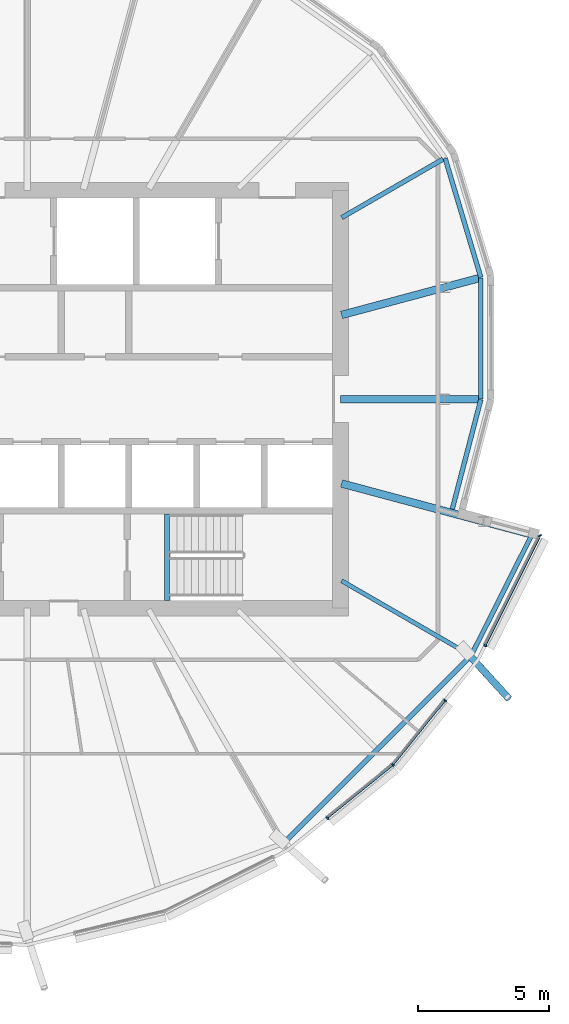
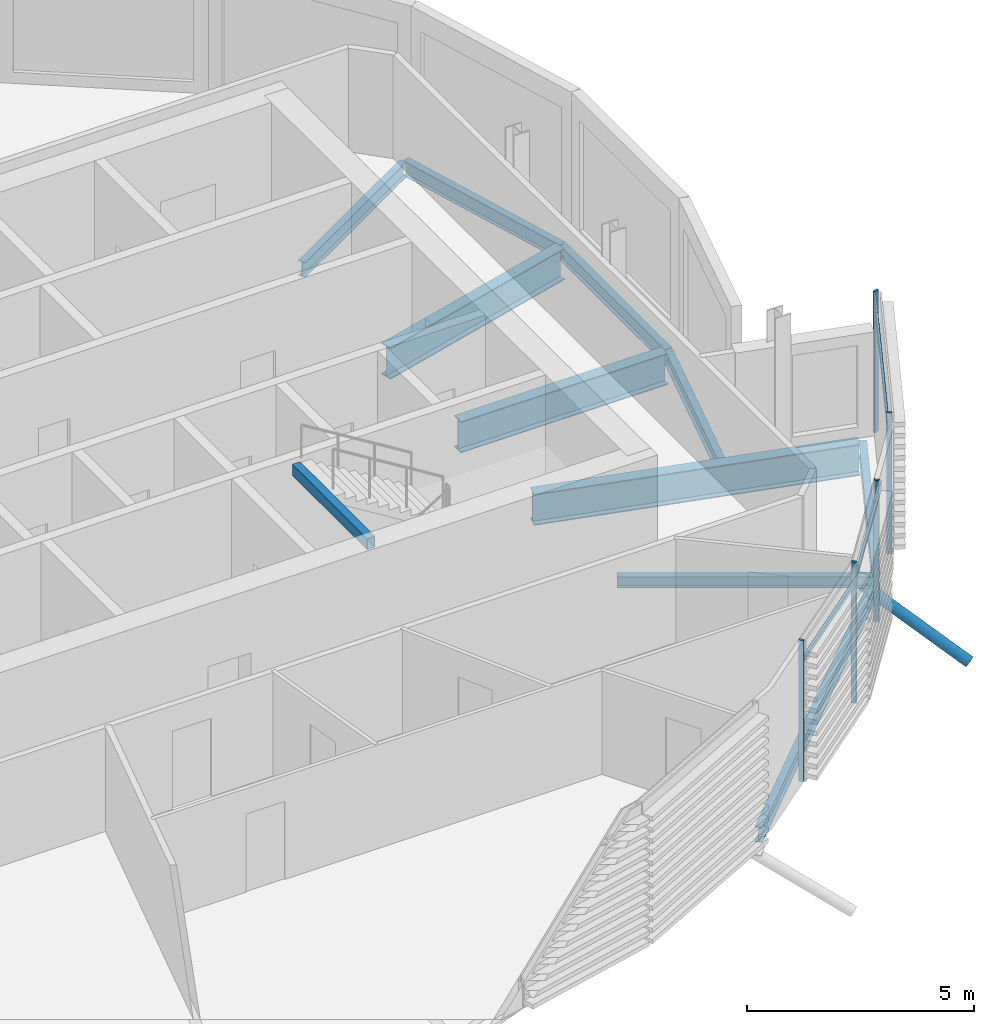
# One storey, part 14 of 36: 11 beams, 9 members, 1 element without a shape of its own.
"""IFC4 building model written with IfcOpenShell, lengths in metres."""

import ifcopenshell
import ifcopenshell.guid

model = None  # the IFC model being written
_history = None  # IfcOwnerHistory: only IFC2X3 demands one
_inside = {}  # id of a spatial element -> (the spatial element, [elements in it])
_under = {}  # id of a project, library or spatial element -> (it, [spatial elements below it])
_declared = {}  # id of a project -> (the project, [libraries it declares])
_typed = {}  # id of a type object -> (the type object, [elements of that type])
_made_of = {}  # id of a material, layer set ... -> (it, [elements and type objects made of it])


def new_model(schema):
    """Start an empty IFC model of exactly this schema.

    Asked for "IFC4X3", IfcOpenShell would pick the latest addendum, in which some entities
    have other attributes; the version numbers below select the first issue.
    IFC2X3 requires an IfcOwnerHistory on every rooted entity: one is made here for all.
    """
    global model, _history
    if schema == "IFC4X3":
        model = ifcopenshell.file(schema_version=(4, 3, 0, 0))
    else:
        model = ifcopenshell.file(schema=schema)
    _inside.clear()
    _under.clear()
    _declared.clear()
    _typed.clear()
    _made_of.clear()
    _history = None
    if model.schema == "IFC2X3":
        org = make("IfcOrganization", Name="unknown")
        user = make(
            "IfcPersonAndOrganization",
            ThePerson=make("IfcPerson", FamilyName="unknown"),
            TheOrganization=org,
        )
        app = make(
            "IfcApplication",
            ApplicationDeveloper=org,
            Version="unknown",
            ApplicationFullName="unknown",
            ApplicationIdentifier="unknown",
        )
        _history = make(
            "IfcOwnerHistory",
            OwningUser=user,
            OwningApplication=app,
            ChangeAction="ADDED",
            CreationDate=0,
        )
    return model


def make(cls, **values):
    """One entity of the class cls with the attributes given. An attribute that is None is left unset."""
    return model.create_entity(
        cls, **{name: value for name, value in values.items() if value is not None}
    )


def rooted(cls, **values):
    """An entity with a GlobalId (a new one), such as an element, a storey or a relation."""
    return make(cls, GlobalId=ifcopenshell.guid.new(), OwnerHistory=_history, **values)


def si_unit(unit_type, name, prefix=None):
    """IfcSIUnit, for example si_unit("LENGTHUNIT", "METRE", prefix="MILLI")."""
    return make("IfcSIUnit", UnitType=unit_type, Prefix=prefix, Name=name)


def assignment(units):
    """IfcUnitAssignment: the units of a project."""
    return None if units is None else make("IfcUnitAssignment", Units=units)


def point(xyz):
    """IfcCartesianPoint."""
    return None if xyz is None else make("IfcCartesianPoint", Coordinates=xyz)


def direction(xyz):
    """IfcDirection."""
    return None if xyz is None else make("IfcDirection", DirectionRatios=xyz)


def frame(location, z_axis=None, x_axis=None):
    """IfcAxis2Placement3D, a coordinate frame: its origin and axes. An axis left out is left unset."""
    return make(
        "IfcAxis2Placement3D",
        Location=point(location),
        Axis=direction(z_axis),
        RefDirection=direction(x_axis),
    )


def frame_2d(location, x_axis=None):
    """IfcAxis2Placement2D, a coordinate frame in the plane: its origin and x axis."""
    return make(
        "IfcAxis2Placement2D", Location=point(location), RefDirection=direction(x_axis)
    )


def origin():
    """The frame at (0, 0, 0) with its axes left unset."""
    return frame((0.0, 0.0, 0.0))


def origin_2d():
    """The frame at (0, 0) in the plane with its x axis left unset."""
    return frame_2d((0.0, 0.0))


def place(relative_to, where):
    """IfcLocalPlacement: puts the frame where relative to a parent placement (None: the world)."""
    return make(
        "IfcLocalPlacement", PlacementRelTo=relative_to, RelativePlacement=where
    )


def context(
    kind, dimensions, precision=None, world=None, true_north=None, identifier=None
):
    """IfcGeometricRepresentationContext, for example the 3D "Model" context."""
    return make(
        "IfcGeometricRepresentationContext",
        ContextIdentifier=identifier,
        ContextType=kind,
        CoordinateSpaceDimension=dimensions,
        Precision=precision,
        WorldCoordinateSystem=world,
        TrueNorth=true_north,
    )


def subcontext(parent, identifier, kind, view, scale=None):
    """IfcGeometricRepresentationSubContext, for example "Body" below "Model"."""
    return make(
        "IfcGeometricRepresentationSubContext",
        ContextIdentifier=identifier,
        ContextType=kind,
        ParentContext=parent,
        TargetScale=scale,
        TargetView=view,
    )


def project(units=None, contexts=None):
    """IfcProject with its units and contexts."""
    return rooted(
        "IfcProject",
        Name="project",
        RepresentationContexts=contexts,
        UnitsInContext=assignment(units),
    )


def spatial(cls, under=None, at=None, **own):
    """A site, building, storey or space (cls), placed at a placement, below another one or the project."""
    s = rooted(cls, ObjectPlacement=at, **own)
    if under is not None:
        _under.setdefault(under.id(), (under, []))[1].append(s)
    return s


def profile(cls, at=None, kind="AREA", **sizes):
    """A parametric profile (cls). Its sizes go by their IFC names, for example OverallWidth=200.0."""
    return make(cls, ProfileType=kind, Position=at, **sizes)


def rectangle(**sizes):
    """IfcRectangleProfileDef."""
    return profile("IfcRectangleProfileDef", **sizes)


def hollow_rectangle(**sizes):
    """IfcRectangleHollowProfileDef."""
    return profile("IfcRectangleHollowProfileDef", **sizes)


def hollow_circle(**sizes):
    """IfcCircleHollowProfileDef."""
    return profile("IfcCircleHollowProfileDef", **sizes)


def i_section(**sizes):
    """IfcIShapeProfileDef."""
    return profile("IfcIShapeProfileDef", **sizes)


def extrude(swept, where, along, depth):
    """IfcExtrudedAreaSolid: the profile swept, set in the frame where, extruded along a direction by depth."""
    return make(
        "IfcExtrudedAreaSolid",
        SweptArea=swept,
        Position=where,
        ExtrudedDirection=direction(along),
        Depth=depth,
    )


def clip(a, b, op="DIFFERENCE"):
    """IfcBooleanClippingResult: the solid a cut by the half space b."""
    return make(
        "IfcBooleanClippingResult", Operator=op, FirstOperand=a, SecondOperand=b
    )


def halfspace(plane, agree):
    """IfcHalfSpaceSolid: all space on one side of the plane z = 0 of the frame plane."""
    return make(
        "IfcHalfSpaceSolid",
        BaseSurface=make("IfcPlane", Position=plane),
        AgreementFlag=agree,
    )


def shape(context_of_items, identifier, shape_type, items):
    """IfcShapeRepresentation: the items that make up one representation, for example the "Body"."""
    return make(
        "IfcShapeRepresentation",
        ContextOfItems=context_of_items,
        RepresentationIdentifier=identifier,
        RepresentationType=shape_type,
        Items=items,
    )


def material(Name=None, Category=None):
    """IfcMaterial."""
    return make("IfcMaterial", Name=Name, Category=Category)


def material_profile(
    of_material, cross_section, Name=None, Category=None, Priority=None
):
    """IfcMaterialProfile: a cross section and its material."""
    return make(
        "IfcMaterialProfile",
        Name=Name,
        Material=of_material,
        Profile=cross_section,
        Priority=Priority,
        Category=Category,
    )


def profile_set(profiles, Name=None, composite=None):
    """IfcMaterialProfileSet."""
    return make(
        "IfcMaterialProfileSet",
        Name=Name,
        MaterialProfiles=profiles,
        CompositeProfile=composite,
    )


def made_of(thing, what):
    """Note that an element or type object is made of a material, layer set ...; save() writes the relation."""
    if what is not None:
        _made_of.setdefault(what.id(), (what, []))[1].append(thing)
    return thing


def type_object(cls, material=None, **own):
    """A type object (cls), such as IfcWallType, which elements share."""
    return made_of(rooted(cls, **own), material)


def element(
    cls,
    number,
    at=None,
    inside=None,
    cuts=None,
    type_object=None,
    material=None,
    context=None,
    identifier="Body",
    shape_type=None,
    held_by="IfcProductDefinitionShape",
    body=None,
    shapes=None,
    **own,
):
    """One element of the class cls, such as IfcWall. Its Tag is "e" and its number.

    at: its placement. inside: the storey or other place that contains it. cuts: it is an
    opening in that element (IfcRelVoidsElement). A single representation is given by context,
    identifier, shape_type and body (its items); several are given by shapes. held_by: the class
    of the entity that holds the representations. save() writes the other relations.
    """
    e = rooted(cls, Tag="e%d" % number, ObjectPlacement=at, **own)
    if body is not None:
        shapes = [shape(context, identifier, shape_type, body)]
    if shapes is not None:
        e.Representation = make(held_by, Representations=shapes)
    if inside is not None:
        _inside.setdefault(inside.id(), (inside, []))[1].append(e)
    if cuts is not None:
        rooted(
            "IfcRelVoidsElement", RelatingBuildingElement=cuts, RelatedOpeningElement=e
        )
    if type_object is not None:
        _typed.setdefault(type_object.id(), (type_object, []))[1].append(e)
    return made_of(e, material)


def aggregate(whole, parts):
    """IfcRelAggregates: a whole, such as a stair, and the parts it consists of."""
    return rooted("IfcRelAggregates", RelatingObject=whole, RelatedObjects=parts)


def save(model, path):
    """Write the relations noted so far, then the file.

    IfcRelAggregates (storeys below a building ...), IfcRelContainedInSpatialStructure (elements
    in a storey), IfcRelDefinesByType, IfcRelAssociatesMaterial and IfcRelDeclares: one each for
    every whole, place, type object, material and project.
    """
    for whole, parts in _under.values():
        aggregate(whole, parts)
    for where, things in _inside.values():
        rooted(
            "IfcRelContainedInSpatialStructure",
            RelatedElements=things,
            RelatingStructure=where,
        )
    for kind, things in _typed.values():
        rooted("IfcRelDefinesByType", RelatedObjects=things, RelatingType=kind)
    for what, things in _made_of.values():
        rooted("IfcRelAssociatesMaterial", RelatedObjects=things, RelatingMaterial=what)
    for by, libraries in _declared.values():
        rooted("IfcRelDeclares", RelatingContext=by, RelatedDefinitions=libraries)
    model.write(path)


model = new_model("IFC4")

# Units and contexts
model_context = context("Model", 3, precision=1e-05, world=origin(), true_north=direction((0.0, 1.0)))
body_context = subcontext(model_context, "Body", "Model", "MODEL_VIEW")
ifc_project = project(units=[si_unit("LENGTHUNIT", "METRE"), si_unit("AREAUNIT", "SQUARE_METRE"), si_unit("VOLUMEUNIT", "CUBIC_METRE"), si_unit("PLANEANGLEUNIT", "RADIAN"), si_unit("MASSUNIT", "GRAM", prefix="KILO")], contexts=[model_context])

# Site, building, storey
site_placement = place(None, origin())
site = spatial("IfcSite", under=ifc_project, at=site_placement, CompositionType="ELEMENT")
building_placement = place(site_placement, origin())
building = spatial("IfcBuilding", under=site, at=building_placement, Name="Rimbun Link Towers", CompositionType="ELEMENT")
storey_placement = place(building_placement, frame((0.0, 0.0, 174.10009765625)))
storey = spatial("IfcBuildingStorey", under=building, at=storey_placement, Name="L42", CompositionType="ELEMENT", Elevation=174.10009765625)

# Curtain wall, members
ifc_material_1 = material(Name="Aluminium 6063-T6 and low-iron glass", Category="aluminium")
curtain_wall_type = type_object("IfcCurtainWallType", Name="CW1-Z3 unitised vision wall (zone 3)", PredefinedType="NOTDEFINED", material=ifc_material_1)
curtain_wall_placement = place(storey_placement, origin())
curtain_wall = element("IfcCurtainWall", 1, at=curtain_wall_placement, inside=storey, type_object=curtain_wall_type, Name="CW1 L42 T2", PredefinedType="NOTDEFINED")
ifc_material_2 = material(Name="Aluminium 6063-T6", Category="aluminium")
ifc_material_profile_1 = material_profile(ifc_material_2, rectangle(XDim=0.1201171875, YDim=0.06005859375, at=origin_2d()), Name="MULLION 60X120")
ifc_profile_set_1 = profile_set([ifc_material_profile_1], Name="Aluminium 6063-T6")
member_type_1 = type_object("IfcMemberType", Name="CW1 mullion 60X120", PredefinedType="MULLION", material=ifc_profile_set_1)
member_1_placement = place(storey_placement, frame((45.7568359375, -14.0068359375, 0.0), z_axis=(0.0, 0.0, 1.0), x_axis=(0.707106781187, -0.707106781187, 0.0)))
member_1 = element("IfcMember", 2, at=member_1_placement, type_object=member_type_1, Name="CW1 mullion", PredefinedType="MULLION", context=body_context, shape_type="SweptSolid", body=[
    extrude(rectangle(XDim=0.1201171875, YDim=0.06005859375, at=origin_2d()), origin(), (0.0, 0.0, 1.0), 3.7998046875),
])
member_2_placement = place(storey_placement, frame((43.24560546875, -16.0400390625, 0.0), z_axis=(0.0, 0.0, 1.0), x_axis=(0.629157646962, -0.777277720811, 0.0)))
member_2 = element("IfcMember", 3, at=member_2_placement, type_object=member_type_1, Name="CW1 mullion", PredefinedType="MULLION", context=body_context, shape_type="SweptSolid", body=[
    extrude(rectangle(XDim=0.1201171875, YDim=0.06005859375, at=origin_2d()), origin(), (0.0, 0.0, 1.0), 3.7998046875),
])
member_3_placement = place(storey_placement, frame((47.758544921875, -11.534423828125, 0.0), z_axis=(0.0, 0.0, 1.0), x_axis=(0.777277720811, -0.629157646962, 0.0)))
member_3 = element("IfcMember", 4, at=member_3_placement, type_object=member_type_1, Name="CW1 mullion", PredefinedType="MULLION", context=body_context, shape_type="SweptSolid", body=[
    extrude(rectangle(XDim=0.1201171875, YDim=0.06005859375, at=origin_2d()), origin(), (0.0, 0.0, 1.0), 3.7998046875),
])
member_4_placement = place(storey_placement, frame((51.38330078125, -5.221435546875, 0.0), z_axis=(0.0, 0.0, 1.0), x_axis=(0.912350612817, 0.409409769414, 0.0)))
member_4 = element("IfcMember", 5, at=member_4_placement, type_object=member_type_1, Name="CW1 mullion", PredefinedType="MULLION", context=body_context, shape_type="SweptSolid", body=[
    extrude(rectangle(XDim=0.1201171875, YDim=0.06005859375, at=origin_2d()), origin(), (0.0, 0.0, 1.0), 3.7998046875),
])
member_5_placement = place(storey_placement, frame((49.29296875, -9.432861328125, 0.0), z_axis=(0.0, 0.0, 1.0), x_axis=(0.893645619235, -0.44877333613, 0.0)))
member_5 = element("IfcMember", 6, at=member_5_placement, type_object=member_type_1, Name="CW1 mullion", PredefinedType="MULLION", context=body_context, shape_type="SweptSolid", body=[
    extrude(rectangle(XDim=0.1201171875, YDim=0.06005859375, at=origin_2d()), origin(), (0.0, 0.0, 1.0), 3.7998046875),
])
ifc_material_3 = material(Name="Aluminium 6063-T6", Category="aluminium")
ifc_material_profile_2 = material_profile(ifc_material_3, rectangle(XDim=0.06005859375, YDim=0.1201171875, at=origin_2d()), Name="TRANSOM 60X120")
ifc_profile_set_2 = profile_set([ifc_material_profile_2], Name="Aluminium 6063-T6")
member_type_2 = type_object("IfcMemberType", Name="CW1 transom 60X120", PredefinedType="USERDEFINED", material=ifc_profile_set_2)
member_6_placement = place(storey_placement, frame((45.7275390625, -14.0283203125, 3.199951171875), z_axis=(-0.777273612878, -0.629162721976, 0.0), x_axis=(0.629162721976, -0.777273612878, 0.0)))
member_6 = element("IfcMember", 7, at=member_6_placement, type_object=member_type_2, Name="CW1 transom", ObjectType="TRANSOM", PredefinedType="USERDEFINED", context=body_context, shape_type="SweptSolid", body=[
    extrude(rectangle(XDim=0.06005859375, YDim=0.1201171875, at=origin_2d()), origin(), (0.0, 0.0, 1.0), 3.164794921875),
])
member_7_placement = place(storey_placement, frame((47.738037109375, -11.556396484375, 3.199951171875), z_axis=(-0.629148623112, -0.777285024966, 0.0), x_axis=(0.777285024966, -0.629148623112, 0.0)))
member_7 = element("IfcMember", 8, at=member_7_placement, type_object=member_type_2, Name="CW1 transom", ObjectType="TRANSOM", PredefinedType="USERDEFINED", context=body_context, shape_type="SweptSolid", body=[
    extrude(rectangle(XDim=0.06005859375, YDim=0.1201171875, at=origin_2d()), origin(), (0.0, 0.0, 1.0), 3.114990234375),
])
member_8_placement = place(storey_placement, frame((51.366943359375, -5.298828125, 3.199951171875), z_axis=(-0.448806848346, -0.893628789195, 0.0), x_axis=(0.893628789195, -0.448806848346, 0.0)))
member_8 = element("IfcMember", 9, at=member_8_placement, type_object=member_type_2, Name="CW1 transom", ObjectType="TRANSOM", PredefinedType="USERDEFINED", context=body_context, shape_type="SweptSolid", body=[
    extrude(rectangle(XDim=0.06005859375, YDim=0.1201171875, at=origin_2d()), origin(), (0.0, 0.0, 1.0), 4.594970703125),
])
aggregate(curtain_wall, [member_1, member_2, member_3, member_4, member_5, member_6, member_7, member_8])

# Member
ifc_material_4 = material(Name="Steel S355J2H", Category="steel")
ifc_material_profile_3 = material_profile(ifc_material_4, hollow_circle(Radius=0.136474609375, WallThickness=0.012451171875, at=origin_2d()), Name="CHS 273x12.5")
ifc_profile_set_3 = profile_set([ifc_material_profile_3], Name="Steel S355J2H")
member_type_3 = type_object("IfcMemberType", Name="Floor edge link CHS 273x12.5", PredefinedType="BRACE", material=ifc_profile_set_3)
member_9_placement = place(storey_placement, frame((48.629638671875, -9.74560546875, -0.56884765625), z_axis=(0.570953571955, -0.625762954887, -0.531444016771), x_axis=(0.738717764023, 0.674014884937, 0.0)))
element("IfcMember", 10, at=member_9_placement, inside=storey, type_object=member_type_3, Name="Floor edge link T2 L42 19", PredefinedType="BRACE", context=body_context, shape_type="Clipping", body=[
    clip(extrude(hollow_circle(Radius=0.136474609375, WallThickness=0.012451171875, at=origin_2d()), frame((0.0, 0.0, -0.4541015625)), (0.0, 0.0, 1.0), 3.166748046875), halfspace(frame((0.0, 0.0, -0.21337890625), z_axis=(0.0, 0.847093416949, -0.531444016771)), False)),
])

# Beams
ifc_material_5 = material(Name="Steel S355J2", Category="steel")
ifc_material_profile_4 = material_profile(ifc_material_5, hollow_rectangle(XDim=0.199951171875, YDim=0.300048828125, WallThickness=0.011962890625, at=origin_2d()), Name="BOX 300x200x12")
ifc_profile_set_4 = profile_set([ifc_material_profile_4], Name="Steel S355J2")
beam_type_1 = type_object("IfcBeamType", Name="Stair trimmer beam BOX 300x200x12", PredefinedType="BEAM", material=ifc_profile_set_4)
beam_1_placement = place(storey_placement, frame((37.10009765625, -7.699951171875, 3.5), z_axis=(0.0, 1.0, 0.0), x_axis=(-1.0, 0.0, 0.0)))
element("IfcBeam", 11, at=beam_1_placement, inside=storey, type_object=beam_type_1, Name="L42 ST4 stair beam 1", PredefinedType="BEAM", context=body_context, shape_type="SweptSolid", body=[
    extrude(hollow_rectangle(XDim=0.199951171875, YDim=0.300048828125, WallThickness=0.011962890625, at=origin_2d()), origin(), (0.0, 0.0, 1.0), 3.300048828125),
])
ifc_material_6 = material(Name="Steel S355J2", Category="steel")
ifc_material_profile_5 = material_profile(ifc_material_6, i_section(OverallWidth=0.1650390625, OverallDepth=0.303466796875, WebThickness=0.006103515625, FlangeThickness=0.01025390625, at=origin_2d()), Name="UB 305x165x40")
ifc_profile_set_5 = profile_set([ifc_material_profile_5], Name="Steel S355J2")
beam_type_2 = type_object("IfcBeamType", Name="UB 305x165x40", PredefinedType="BEAM", material=ifc_profile_set_5)
beam_2_placement = place(storey_placement, frame((43.7919921875, -6.952392578125, -0.3017578125), z_axis=(0.866024727271, -0.500001171754, 0.0), x_axis=(0.500001171754, 0.866024727271, 0.0)))
element("IfcBeam", 12, at=beam_2_placement, inside=storey, type_object=beam_type_2, Name="Radial beam T2 L42 19", PredefinedType="BEAM", context=body_context, shape_type="SweptSolid", body=[
    extrude(i_section(OverallWidth=0.1650390625, OverallDepth=0.303466796875, WebThickness=0.006103515625, FlangeThickness=0.01025390625, at=origin_2d()), origin(), (0.0, 0.0, 1.0), 5.63623046875),
])
ifc_material_7 = material(Name="Steel S355J2", Category="steel")
ifc_material_profile_6 = material_profile(ifc_material_7, i_section(OverallWidth=0.177978515625, OverallDepth=0.406494140625, WebThickness=0.0078125, FlangeThickness=0.0126953125, at=origin_2d()), Name="UB 406x178x60")
ifc_profile_set_6 = profile_set([ifc_material_profile_6], Name="Steel S355J2")
beam_type_3 = type_object("IfcBeamType", Name="UB 406x178x60", PredefinedType="BEAM", material=ifc_profile_set_6)
beam_3_placement = place(storey_placement, frame((43.79541015625, 6.954345703125, -0.353271484375), z_axis=(0.866019379875, 0.500010433572, 0.0), x_axis=(-0.500010433572, 0.866019379875, 0.0)))
element("IfcBeam", 13, at=beam_3_placement, inside=storey, type_object=beam_type_3, Name="Radial beam T2 L42 23", PredefinedType="BEAM", context=body_context, shape_type="SweptSolid", body=[
    extrude(i_section(OverallWidth=0.177978515625, OverallDepth=0.406494140625, WebThickness=0.0078125, FlangeThickness=0.0126953125, at=origin_2d()), origin(), (0.0, 0.0, 1.0), 4.4765625),
])
beam_4_placement = place(storey_placement, frame((41.642822265625, -16.923583984375, -0.353271484375), z_axis=(0.707119029808, 0.707094532353, 0.0), x_axis=(-0.707094532353, 0.707119029808, 0.0)))
element("IfcBeam", 14, at=beam_4_placement, inside=storey, type_object=beam_type_3, Name="Edge beam T2 L42 17-19", PredefinedType="BEAM", context=body_context, shape_type="SweptSolid", body=[
    extrude(i_section(OverallWidth=0.177978515625, OverallDepth=0.406494140625, WebThickness=0.0078125, FlangeThickness=0.0126953125, at=origin_2d()), origin(), (0.0, 0.0, 1.0), 9.966064453125),
])
beam_5_placement = place(storey_placement, frame((48.75146484375, -9.814697265625, -0.353271484375), z_axis=(0.449245908219, 0.893408145222, 0.0), x_axis=(-0.893408145222, 0.449245908219, 0.0)))
element("IfcBeam", 15, at=beam_5_placement, inside=storey, type_object=beam_type_3, Name="Edge beam T2 L42 19", PredefinedType="BEAM", context=body_context, shape_type="SweptSolid", body=[
    extrude(i_section(OverallWidth=0.177978515625, OverallDepth=0.406494140625, WebThickness=0.0078125, FlangeThickness=0.0126953125, at=origin_2d()), origin(), (0.0, 0.0, 1.0), 5.1865234375),
])
beam_6_placement = place(storey_placement, frame((48.027587890625, -4.20849609375, -0.353271484375), z_axis=(0.252259185251, 0.967659704368, 0.0), x_axis=(-0.967659704368, 0.252259185251, 0.0)))
element("IfcBeam", 16, at=beam_6_placement, inside=storey, type_object=beam_type_3, Name="Edge beam T2 L42 20 recess", PredefinedType="BEAM", context=body_context, shape_type="SweptSolid", body=[
    extrude(i_section(OverallWidth=0.177978515625, OverallDepth=0.406494140625, WebThickness=0.0078125, FlangeThickness=0.0126953125, at=origin_2d()), origin(), (0.0, 0.0, 1.0), 4.336669921875),
])
beam_7_placement = place(storey_placement, frame((49.124755859375, 0.012451171875, -0.353271484375), z_axis=(0.000105479668, 0.999999994437, 0.0), x_axis=(-0.999999994437, 0.000105479668, 0.0)))
element("IfcBeam", 17, at=beam_7_placement, inside=storey, type_object=beam_type_3, Name="Edge beam T2 L42 21 recess", PredefinedType="BEAM", context=body_context, shape_type="SweptSolid", body=[
    extrude(i_section(OverallWidth=0.177978515625, OverallDepth=0.406494140625, WebThickness=0.0078125, FlangeThickness=0.0126953125, at=origin_2d()), origin(), (0.0, 0.0, 1.0), 4.629150390625),
])
beam_8_placement = place(storey_placement, frame((49.121337890625, 4.669189453125, -0.353271484375), z_axis=(-0.287413840824, 0.957806496169, 0.0), x_axis=(-0.957806496169, -0.287413840824, 0.0)))
element("IfcBeam", 18, at=beam_8_placement, inside=storey, type_object=beam_type_3, Name="Edge beam T2 L42 22 recess", PredefinedType="BEAM", context=body_context, shape_type="SweptSolid", body=[
    extrude(i_section(OverallWidth=0.177978515625, OverallDepth=0.406494140625, WebThickness=0.0078125, FlangeThickness=0.0126953125, at=origin_2d()), origin(), (0.0, 0.0, 1.0), 4.75439453125),
])
ifc_material_8 = material(Name="Steel S355J2", Category="steel")
ifc_material_profile_7 = material_profile(ifc_material_8, i_section(OverallWidth=0.29248046875, OverallDepth=0.8408203125, WebThickness=0.0126953125, FlangeThickness=0.021728515625, at=origin_2d()), Name="UB 838x292x194")
ifc_profile_set_7 = profile_set([ifc_material_profile_7], Name="Steel S355J2")
beam_type_4 = type_object("IfcBeamType", Name="UB 838x292x194", PredefinedType="BEAM", material=ifc_profile_set_7)
beam_9_placement = place(storey_placement, frame((43.788818359375, -3.225830078125, -0.570556640625), z_axis=(0.965925112042, -0.258821710695, 0.0), x_axis=(0.258821710695, 0.965925112042, 0.0)))
element("IfcBeam", 19, at=beam_9_placement, inside=storey, type_object=beam_type_4, Name="Radial beam T2 L42 20", PredefinedType="BEAM", context=body_context, shape_type="SweptSolid", body=[
    extrude(i_section(OverallWidth=0.29248046875, OverallDepth=0.8408203125, WebThickness=0.0126953125, FlangeThickness=0.021728515625, at=origin_2d()), origin(), (0.0, 0.0, 1.0), 7.45849609375),
])
beam_10_placement = place(storey_placement, frame((43.7509765625, 0.0, -0.570556640625), z_axis=(1.0, 0.0, 0.0), x_axis=(0.0, 1.0, 0.0)))
element("IfcBeam", 20, at=beam_10_placement, inside=storey, type_object=beam_type_4, Name="Radial beam T2 L42 21", PredefinedType="BEAM", context=body_context, shape_type="SweptSolid", body=[
    extrude(i_section(OverallWidth=0.29248046875, OverallDepth=0.8408203125, WebThickness=0.0126953125, FlangeThickness=0.021728515625, at=origin_2d()), origin(), (0.0, 0.0, 1.0), 5.283203125),
])
beam_11_placement = place(storey_placement, frame((43.788818359375, 3.225830078125, -0.570556640625), z_axis=(0.965924788892, 0.258822916689, 0.0), x_axis=(-0.258822916689, 0.965924788892, 0.0)))
element("IfcBeam", 21, at=beam_11_placement, inside=storey, type_object=beam_type_4, Name="Radial beam T2 L42 22", PredefinedType="BEAM", context=body_context, shape_type="SweptSolid", body=[
    extrude(i_section(OverallWidth=0.29248046875, OverallDepth=0.8408203125, WebThickness=0.0126953125, FlangeThickness=0.021728515625, at=origin_2d()), origin(), (0.0, 0.0, 1.0), 5.43408203125),
])

save(model, "model.ifc")
